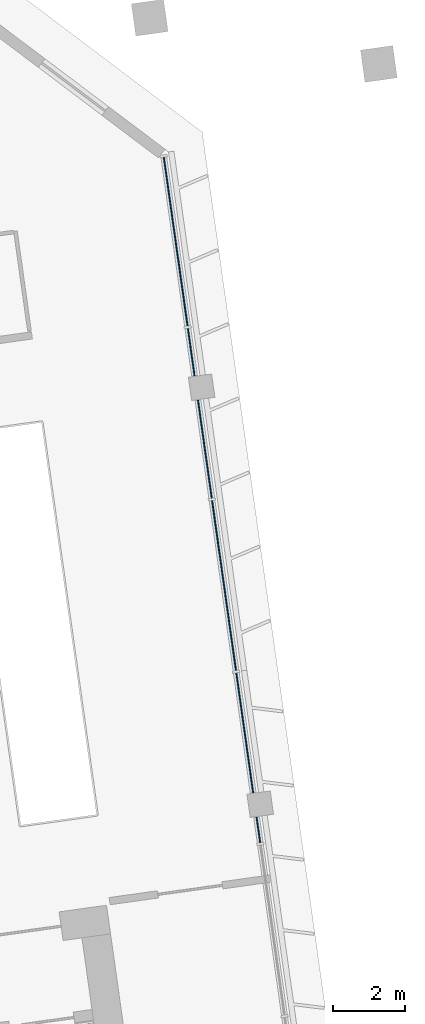
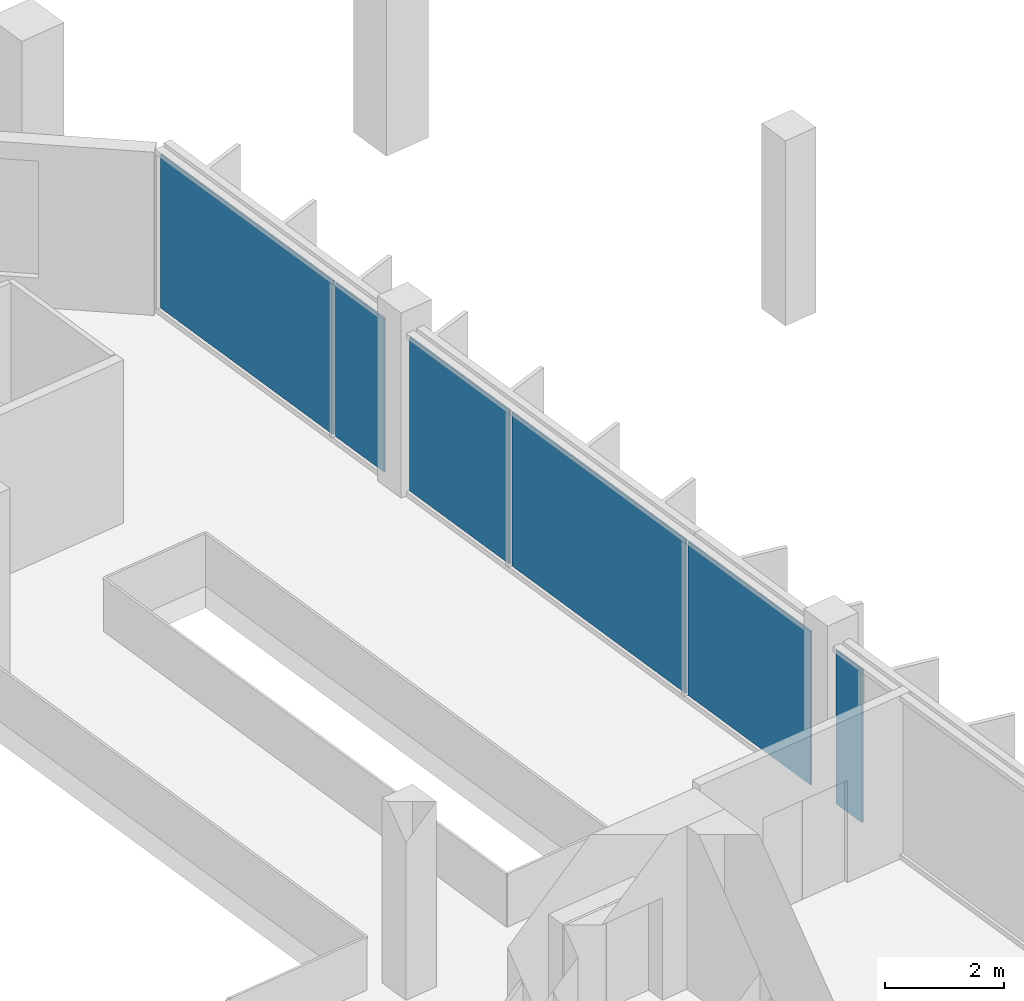
# One storey, part 15 of 26: 6 plates, 1 element without a shape of its own.
"""IFC4 building model written with IfcOpenShell, lengths in metres."""

from ifc_helpers import new_model, si_unit, direction, frame, origin, origin_2d, place, context, subcontext, project, spatial, rectangle, extrude, material, layer, layer_set, type_object, element, aggregate, save


model = new_model("IFC4")

# Units and contexts
model_context = context("Model", 3, precision=1e-05, world=origin(), true_north=direction((0.0, 1.0)))
body_context = subcontext(model_context, "Body", "Model", "MODEL_VIEW")
ifc_project = project(units=[si_unit("LENGTHUNIT", "METRE"), si_unit("AREAUNIT", "SQUARE_METRE"), si_unit("VOLUMEUNIT", "CUBIC_METRE"), si_unit("PLANEANGLEUNIT", "RADIAN"), si_unit("MASSUNIT", "GRAM", prefix="KILO")], contexts=[model_context])

# Site, building, storey
site_placement = place(None, origin())
site = spatial("IfcSite", under=ifc_project, at=site_placement, CompositionType="ELEMENT")
building_placement = place(site_placement, origin())
building = spatial("IfcBuilding", under=site, at=building_placement, Name="Mirante Cascada Hotel Towers", CompositionType="ELEMENT")
storey_placement = place(building_placement, frame((0.0, 0.0, 98.7)))
storey = spatial("IfcBuildingStorey", under=building, at=storey_placement, Name="L21", CompositionType="ELEMENT", Elevation=98.7)

# Curtain wall, plates
ifc_material_1 = material(Name="Aluminium mullion and transom frame with clear laminated glass", Category="aluminium")
curtain_wall_type = type_object("IfcCurtainWallType", Name="End ribbon curtain wall ECW2", PredefinedType="NOTDEFINED", material=ifc_material_1)
curtain_wall_placement = place(storey_placement, origin())
curtain_wall = element("IfcCurtainWall", 1, at=curtain_wall_placement, inside=storey, type_object=curtain_wall_type, Name="Outer end wall T2 L21", PredefinedType="NOTDEFINED")
ifc_material_2 = material(Name="Clear laminated glass", Category="glass")
ifc_layer = layer(ifc_material_2, 0.034)
ifc_layer_set = layer_set([ifc_layer], Name="ECW2 glass panel 34")
plate_type = type_object("IfcPlateType", Name="ECW2 glass panel 34", PredefinedType="CURTAIN_PANEL", material=ifc_layer_set)
plate_1_placement = place(storey_placement, frame((92.8542, 2.365, 0.1), z_axis=(0.0, 0.0, 1.0), x_axis=(-0.1391731, 0.9902681, 0.0)))
plate_1 = element("IfcPlate", 2, at=plate_1_placement, type_object=plate_type, Name="ECW2 panel 3", PredefinedType="CURTAIN_PANEL", context=body_context, shape_type="SweptSolid", body=[
    extrude(rectangle(XDim=0.7101, YDim=0.034, at=origin_2d()), origin(), (0.0, 0.0, 1.0), 3.15),
])
plate_2_placement = place(storey_placement, frame((92.4758, 5.0574, 0.1), z_axis=(0.0, 0.0, 1.0), x_axis=(-0.1391731, 0.9902681, 0.0)))
plate_2 = element("IfcPlate", 3, at=plate_2_placement, type_object=plate_type, Name="ECW2 panel 3", PredefinedType="CURTAIN_PANEL", context=body_context, shape_type="SweptSolid", body=[
    extrude(rectangle(XDim=3.3475, YDim=0.034, at=origin_2d()), origin(), (0.0, 0.0, 1.0), 3.15),
])
plate_3_placement = place(storey_placement, frame((91.9035, 9.1299, 0.1), z_axis=(0.0, 0.0, 1.0), x_axis=(-0.1391731, 0.9902681, 0.0)))
plate_3 = element("IfcPlate", 4, at=plate_3_placement, type_object=plate_type, Name="ECW2 panel 4", PredefinedType="CURTAIN_PANEL", context=body_context, shape_type="SweptSolid", body=[
    extrude(rectangle(XDim=4.7476, YDim=0.034, at=origin_2d()), origin(), (0.0, 0.0, 1.0), 3.15),
])
plate_4_placement = place(storey_placement, frame((91.3737, 12.8991, 0.1), z_axis=(0.0, 0.0, 1.0), x_axis=(-0.1391731, 0.9902681, 0.0)))
plate_4 = element("IfcPlate", 5, at=plate_4_placement, type_object=plate_type, Name="ECW2 panel 5", PredefinedType="CURTAIN_PANEL", context=body_context, shape_type="SweptSolid", body=[
    extrude(rectangle(XDim=2.7349, YDim=0.034, at=origin_2d()), origin(), (0.0, 0.0, 1.0), 3.15),
])
plate_5_placement = place(storey_placement, frame((90.9953, 15.5915, 0.1), z_axis=(0.0, 0.0, 1.0), x_axis=(-0.1391731, 0.9902681, 0.0)))
plate_5 = element("IfcPlate", 6, at=plate_5_placement, type_object=plate_type, Name="ECW2 panel 5", PredefinedType="CURTAIN_PANEL", context=body_context, shape_type="SweptSolid", body=[
    extrude(rectangle(XDim=1.3227, YDim=0.034, at=origin_2d()), origin(), (0.0, 0.0, 1.0), 3.15),
])
plate_6_placement = place(storey_placement, frame((90.5661, 18.6454, 0.1), z_axis=(0.0, 0.0, 1.0), x_axis=(-0.1391731, 0.9902681, 0.0)))
plate_6 = element("IfcPlate", 7, at=plate_6_placement, type_object=plate_type, Name="ECW2 panel 6", PredefinedType="CURTAIN_PANEL", context=body_context, shape_type="SweptSolid", body=[
    extrude(rectangle(XDim=4.7151, YDim=0.034, at=origin_2d()), origin(), (0.0, 0.0, 1.0), 3.15),
])
aggregate(curtain_wall, [plate_1, plate_2, plate_3, plate_4, plate_5, plate_6])

save(model, "model.ifc")
